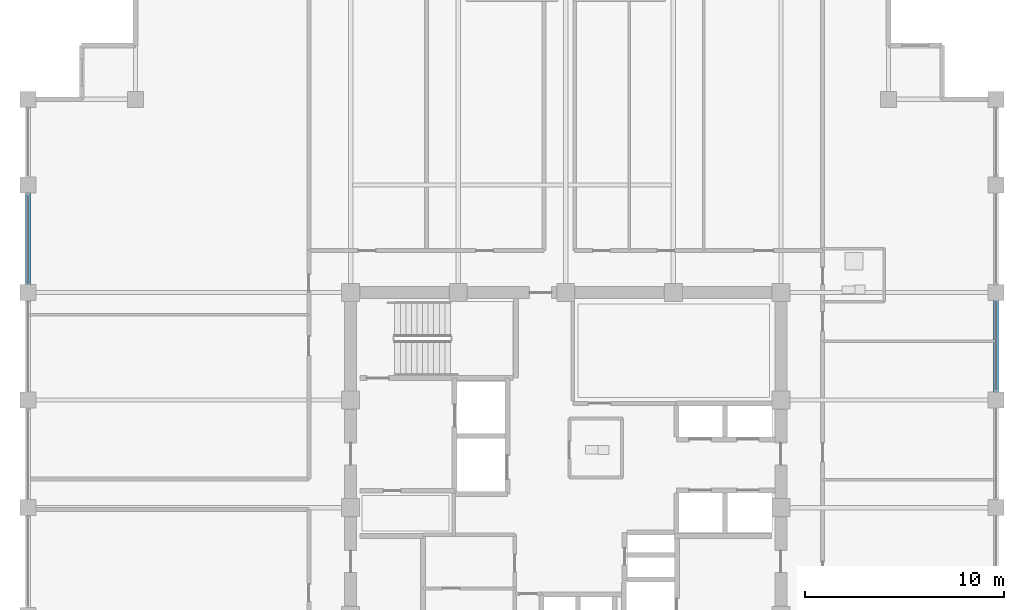
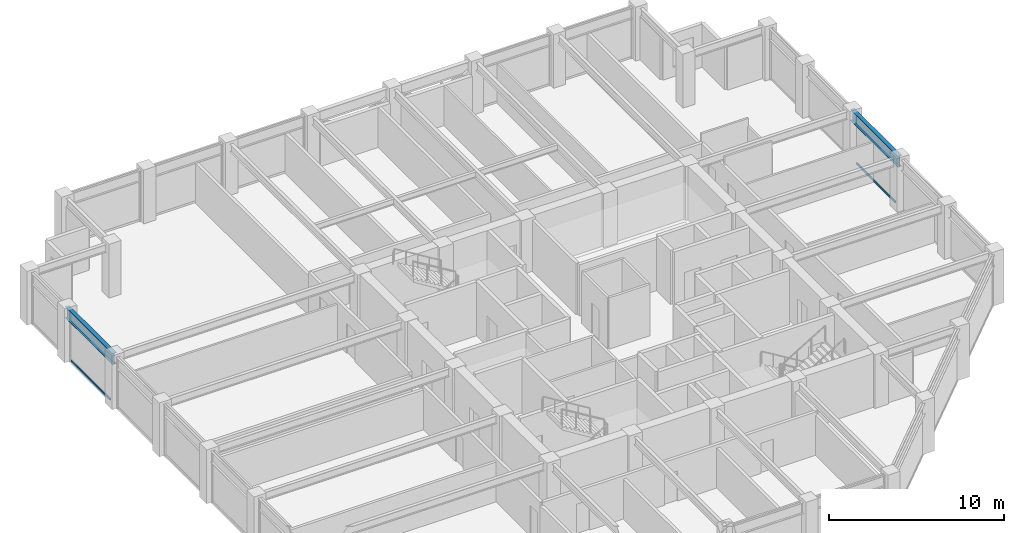
# One storey, part 15 of 32: 2 beams, 2 members, 2 elements without a shape of their own.
"""IFC4 building model written with IfcOpenShell, lengths in metres."""

from ifc_helpers import new_model, si_unit, direction, frame, origin, origin_2d, place, context, subcontext, project, spatial, hollow_rectangle, i_section, extrude, material, layer, layer_set, material_profile, profile_set, type_object, element, aggregate, save


model = new_model("IFC4")

# Units and contexts
model_context = context("Model", 3, precision=1e-05, world=origin(), true_north=direction((0.0, 1.0)))
body_context = subcontext(model_context, "Body", "Model", "MODEL_VIEW")
ifc_project = project(units=[si_unit("LENGTHUNIT", "METRE"), si_unit("AREAUNIT", "SQUARE_METRE"), si_unit("VOLUMEUNIT", "CUBIC_METRE"), si_unit("PLANEANGLEUNIT", "RADIAN"), si_unit("MASSUNIT", "GRAM", prefix="KILO")], contexts=[model_context])

# Site, building, storey
site_placement = place(None, origin())
site = spatial("IfcSite", under=ifc_project, at=site_placement, CompositionType="ELEMENT")
building_placement = place(site_placement, origin())
building = spatial("IfcBuilding", under=site, at=building_placement, Name="Surkhivell Harbour Commons", CompositionType="ELEMENT")
storey_placement = place(building_placement, frame((0.0, 0.0, 223.5)))
storey = spatial("IfcBuildingStorey", under=building, at=storey_placement, Name="L58", CompositionType="ELEMENT", Elevation=223.5)

# Beams
ifc_material_1 = material(Name="Steel S355", Category="steel")
ifc_material_profile_1 = material_profile(ifc_material_1, i_section(OverallWidth=0.26806640625, OverallDepth=0.77001953125, WebThickness=0.015625, FlangeThickness=0.025390625, at=origin_2d()), Name="UB762x267x197")
ifc_profile_set_1 = profile_set([ifc_material_profile_1], Name="Steel S355")
beam_type = type_object("IfcBeamType", Name="BM-SPN-762", PredefinedType="SPANDREL", material=ifc_profile_set_1)
beam_1_placement = place(storey_placement, frame((-27.0, 10.800048828125, 3.18505859375), z_axis=(0.0, 1.0, 0.0), x_axis=(-1.0, 0.0, 0.0)))
element("IfcBeam", 1, at=beam_1_placement, inside=storey, type_object=beam_type, Name="L58 Tube Spandrel (-27.0,10.8)", PredefinedType="SPANDREL", context=body_context, shape_type="SweptSolid", body=[
    extrude(i_section(OverallWidth=0.26806640625, OverallDepth=0.77001953125, WebThickness=0.015625, FlangeThickness=0.025390625, at=origin_2d()), origin(), (0.0, 0.0, 1.0), 5.39990234375),
])
beam_2_placement = place(storey_placement, frame((21.60009765625, 5.39990234375, 3.18505859375), z_axis=(0.0, 1.0, 0.0), x_axis=(-1.0, 0.0, 0.0)))
element("IfcBeam", 2, at=beam_2_placement, inside=storey, type_object=beam_type, Name="L58 Tube Spandrel (21.6,5.4)", PredefinedType="SPANDREL", context=body_context, shape_type="SweptSolid", body=[
    extrude(i_section(OverallWidth=0.26806640625, OverallDepth=0.77001953125, WebThickness=0.015625, FlangeThickness=0.025390625, at=origin_2d()), origin(), (0.0, 0.0, 1.0), 5.400146484375),
])

# Curtain wall, member
ifc_material_2 = material(Name="Anodised pale-metal aluminium and insulated glazing", Category="aluminium")
ifc_layer = layer(ifc_material_2, 0.18994140625)
ifc_layer_set = layer_set([ifc_layer], Name="Anodised pale-metal aluminium and insulated glazing")
curtain_wall_type = type_object("IfcCurtainWallType", Name="CW-SYS-Z3", PredefinedType="NOTDEFINED", material=ifc_layer_set)
curtain_wall_1_placement = place(storey_placement, origin())
curtain_wall_1 = element("IfcCurtainWall", 3, at=curtain_wall_1_placement, inside=storey, type_object=curtain_wall_type, Name="L58 Curtain Wall CW-L58-E02", PredefinedType="NOTDEFINED")
ifc_material_3 = material(Name="Champagne anodised aluminium alloy 6063-T6", Category="aluminium")
ifc_material_profile_2 = material_profile(ifc_material_3, hollow_rectangle(XDim=0.070068359375, YDim=0.1298828125, WallThickness=0.00341796875, at=origin_2d()), Name="ALU-TRAN-70x130")
ifc_profile_set_2 = profile_set([ifc_material_profile_2], Name="Champagne anodised aluminium alloy 6063-T6")
member_type = type_object("IfcMemberType", Name="CWT-130", PredefinedType="USERDEFINED", material=ifc_profile_set_2)
member_1_placement = place(storey_placement, frame((21.60009765625, 5.876953125, 0.06494140625), z_axis=(0.0, 1.0, 0.0), x_axis=(-1.0, 0.0, 0.0)))
member_1 = element("IfcMember", 4, at=member_1_placement, type_object=member_type, Name="CW-Z3 transom 3.1", ObjectType="TRANSOM", PredefinedType="USERDEFINED", context=body_context, shape_type="SweptSolid", body=[
    extrude(hollow_rectangle(XDim=0.070068359375, YDim=0.1298828125, WallThickness=0.00341796875, at=origin_2d()), origin(), (0.0, 0.0, 1.0), 4.446044921875),
])
aggregate(curtain_wall_1, [member_1])

curtain_wall_2_placement = place(storey_placement, origin())
curtain_wall_2 = element("IfcCurtainWall", 5, at=curtain_wall_2_placement, inside=storey, type_object=curtain_wall_type, Name="L58 Curtain Wall CW-L58-E12S1", PredefinedType="NOTDEFINED")
member_2_placement = place(storey_placement, frame((-27.0, 15.722900390625, 0.06494140625), z_axis=(0.0, -1.0, 0.0), x_axis=(1.0, 0.0, 0.0)))
member_2 = element("IfcMember", 6, at=member_2_placement, type_object=member_type, Name="CW-Z3 transom 2.1", ObjectType="TRANSOM", PredefinedType="USERDEFINED", context=body_context, shape_type="SweptSolid", body=[
    extrude(hollow_rectangle(XDim=0.070068359375, YDim=0.1298828125, WallThickness=0.00341796875, at=origin_2d()), origin(), (0.0, 0.0, 1.0), 4.44580078125),
])
aggregate(curtain_wall_2, [member_2])

save(model, "model.ifc")
